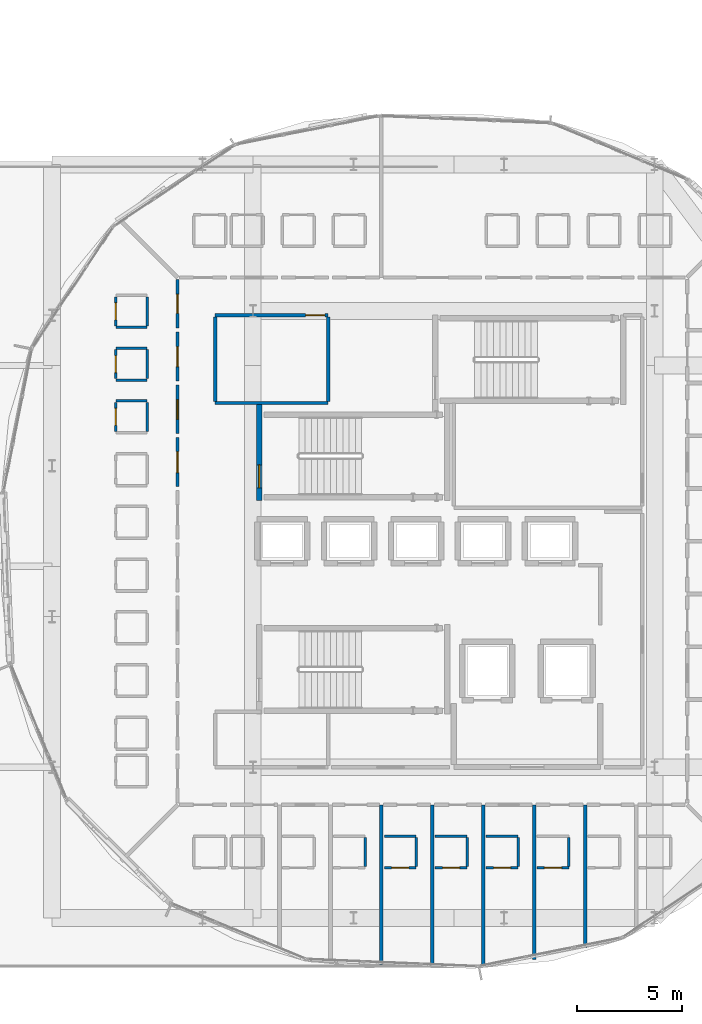
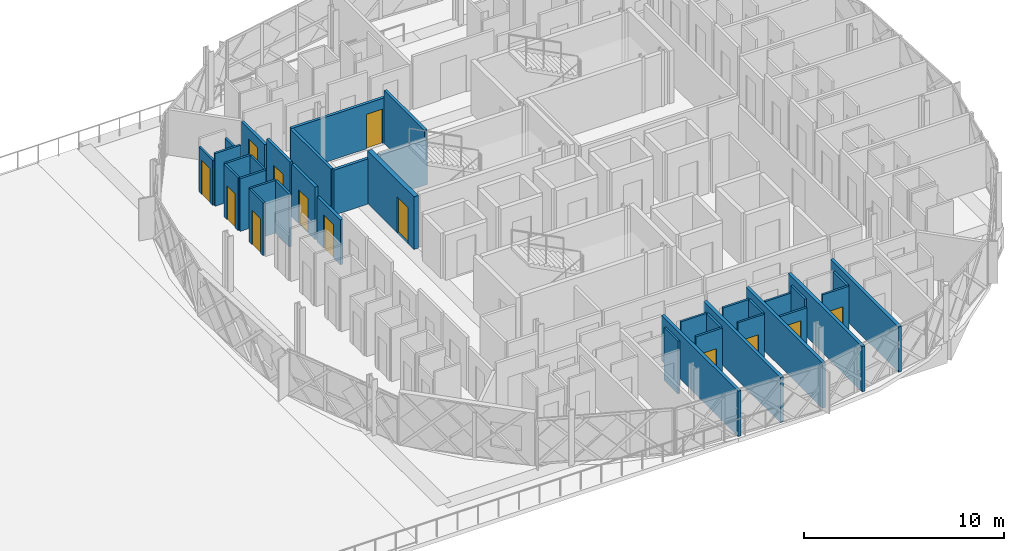
# One storey, part 32 of 53: 36 walls, 13 doors, 13 openings.
"""IFC4 building model written with IfcOpenShell, lengths in metres."""

from ifc_helpers import new_model, si_unit, direction, frame, frame_2d, origin, place, context, subcontext, project, spatial, rectangle, extrude, material, layer, layer_set, type_object, element, fill, save


model = new_model("IFC4")

# Units and contexts
model_context = context("Model", 3, precision=1e-05, world=origin(), true_north=direction((0.0, 1.0)))
body_context = subcontext(model_context, "Body", "Model", "MODEL_VIEW")
ifc_project = project(units=[si_unit("LENGTHUNIT", "METRE"), si_unit("AREAUNIT", "SQUARE_METRE"), si_unit("VOLUMEUNIT", "CUBIC_METRE"), si_unit("PLANEANGLEUNIT", "RADIAN"), si_unit("MASSUNIT", "GRAM", prefix="KILO")], contexts=[model_context])

# Site, building, storey
site_placement = place(None, origin())
site = spatial("IfcSite", under=ifc_project, at=site_placement, CompositionType="ELEMENT")
building_placement = place(site_placement, origin())
building = spatial("IfcBuilding", under=site, at=building_placement, Name="Zevrakil Square Congress Hotel", CompositionType="ELEMENT")
storey_placement = place(building_placement, frame((0.0, 0.0, 14.699951171875)))
storey = spatial("IfcBuildingStorey", under=building, at=storey_placement, Name="L04", CompositionType="ELEMENT", Elevation=14.699951171875)

# Wall
ifc_material_1 = material(Name="Gypsum Acoustic Stud Partition")
ifc_layer_1 = layer(ifc_material_1, 0.159912109375)
ifc_layer_set_1 = layer_set([ifc_layer_1], Name="Gypsum Acoustic Stud Partition")
wall_type_1 = type_object("IfcWallType", Name="WAL-CORR-160", PredefinedType="PARTITIONING", material=ifc_layer_set_1)
wall_1_placement = place(storey_placement, frame((135.0, 34.199951171875, 0.0), z_axis=(0.0, 0.0, 1.0), x_axis=(1.0, 0.0, 0.0)))
element("IfcWall", 1, at=wall_1_placement, inside=storey, type_object=wall_type_1, Name="L04 interior partition PW-L04-0246", PredefinedType="PARTITIONING", context=body_context, shape_type="SweptSolid", body=[
    extrude(rectangle(XDim=5.39990234375, YDim=0.159912109375, at=frame_2d((2.699951171875, 0.0))), origin(), (0.0, 0.0, 1.0), 2.75),
])

# Wall, opening, door
wall_2_placement = place(storey_placement, frame((135.0, 38.39990234375, 0.0), z_axis=(0.0, 0.0, 1.0), x_axis=(1.0, 0.0, 0.0)))
wall_2 = element("IfcWall", 2, at=wall_2_placement, inside=storey, type_object=wall_type_1, Name="L04 interior partition PW-L04-0247", PredefinedType="PARTITIONING", context=body_context, shape_type="SweptSolid", body=[
    extrude(rectangle(XDim=5.39990234375, YDim=0.159912109375, at=frame_2d((2.699951171875, 0.0))), origin(), (0.0, 0.0, 1.0), 2.75),
])
opening_1_placement = place(wall_2_placement, frame((4.320068359375, 0.0, 0.0)))
opening_1 = element("IfcOpeningElement", 3, at=opening_1_placement, cuts=wall_2, Name="Opening ID-07", PredefinedType="OPENING", context=body_context, shape_type="SweptSolid", body=[
    extrude(rectangle(XDim=0.919921875, YDim=2.10009765625, at=frame_2d((0.4599609375, 1.050048828125))), frame((0.0, 0.08984375, 0.0), z_axis=(0.0, -1.0, 0.0), x_axis=(1.0, 0.0, 0.0)), (0.0, 0.0, 1.0), 0.179931640625),
])
ifc_material_2 = material(Name="Accessible Restroom Door")
door_type_1 = type_object("IfcDoorType", Name="DOR-WC-092", OperationType="NOTDEFINED", PredefinedType="DOOR", material=ifc_material_2)
door_1_placement = place(opening_1_placement, origin())
door_1 = element("IfcDoor", 4, at=door_1_placement, inside=storey, type_object=door_type_1, Name="L04 interior door 105", OperationType="SINGLE_SWING_LEFT", OverallHeight=2.10009765625, OverallWidth=0.919921875, PredefinedType="DOOR", context=body_context, shape_type="SweptSolid", body=[
    extrude(rectangle(XDim=0.919921875, YDim=2.10009765625, at=frame_2d((0.4599609375, 1.050048828125))), frame((0.0, 0.02490234375, 0.0), z_axis=(0.0, -1.0, 0.0), x_axis=(1.0, 0.0, 0.0)), (0.0, 0.0, 1.0), 0.050048828125),
])
fill(opening_1, door_1)

# Walls
wall_3_placement = place(storey_placement, frame((135.0, 34.284912109375, 0.0), z_axis=(0.0, 0.0, 1.0), x_axis=(0.0, 1.0, 0.0)))
element("IfcWall", 5, at=wall_3_placement, inside=storey, type_object=wall_type_1, Name="L04 interior partition PW-L04-0248", PredefinedType="PARTITIONING", context=body_context, shape_type="SweptSolid", body=[
    extrude(rectangle(XDim=4.030029296875, YDim=0.159912109375, at=frame_2d((2.01513671875, 0.0))), origin(), (0.0, 0.0, 1.0), 2.75),
])
wall_4_placement = place(storey_placement, frame((140.39990234375, 34.284912109375, 0.0), z_axis=(0.0, 0.0, 1.0), x_axis=(0.0, 1.0, 0.0)))
element("IfcWall", 6, at=wall_4_placement, inside=storey, type_object=wall_type_1, Name="L04 interior partition PW-L04-0249", PredefinedType="PARTITIONING", context=body_context, shape_type="SweptSolid", body=[
    extrude(rectangle(XDim=4.030029296875, YDim=0.159912109375, at=frame_2d((2.01513671875, 0.0))), origin(), (0.0, 0.0, 1.0), 3.215087890625),
])

# Wall, opening, door
wall_5_placement = place(storey_placement, frame((133.199951171875, 37.77490234375, 0.0), z_axis=(0.0, 0.0, 1.0), x_axis=(0.0, 1.0, 0.0)))
wall_5 = element("IfcWall", 7, at=wall_5_placement, inside=storey, type_object=wall_type_1, Name="L04 interior partition PW-L04-0405", PredefinedType="PARTITIONING", context=body_context, shape_type="SweptSolid", body=[
    extrude(rectangle(XDim=2.330078125, YDim=0.159912109375, at=frame_2d((1.1650390625, 0.0))), origin(), (0.0, 0.0, 1.0), 2.75),
])
opening_2_placement = place(wall_5_placement, frame((0.708984375, 0.0, 0.0)))
opening_2 = element("IfcOpeningElement", 8, at=opening_2_placement, cuts=wall_5, Name="Opening ID-H06", PredefinedType="OPENING", context=body_context, shape_type="SweptSolid", body=[
    extrude(rectangle(XDim=0.912109375, YDim=2.1298828125, at=frame_2d((0.4560546875, 1.06494140625))), frame((0.0, 0.08984375, 0.0), z_axis=(0.0, -1.0, 0.0), x_axis=(1.0, 0.0, 0.0)), (0.0, 0.0, 1.0), 0.179931640625),
])
ifc_material_3 = material(Name="Acoustic Timber Fire Door", Category="wood")
door_type_2 = type_object("IfcDoorType", Name="DOR-INT-H06", OperationType="NOTDEFINED", PredefinedType="DOOR", material=ifc_material_3)
door_2_placement = place(opening_2_placement, origin())
door_2 = element("IfcDoor", 9, at=door_2_placement, inside=storey, type_object=door_type_2, Name="L04 interior door 165", OperationType="SINGLE_SWING_LEFT", OverallHeight=2.1298828125, OverallWidth=0.912109375, PredefinedType="DOOR", context=body_context, shape_type="SweptSolid", body=[
    extrude(rectangle(XDim=0.912109375, YDim=2.1298828125, at=frame_2d((0.4560546875, 1.06494140625))), frame((0.0, 0.02490234375, 0.0), z_axis=(0.0, -1.0, 0.0), x_axis=(1.0, 0.0, 0.0)), (0.0, 0.0, 1.0), 0.050048828125),
])
fill(opening_2, door_2)

wall_6_placement = place(storey_placement, frame((133.199951171875, 35.2548828125, 0.0), z_axis=(0.0, 0.0, 1.0), x_axis=(0.0, 1.0, 0.0)))
wall_6 = element("IfcWall", 10, at=wall_6_placement, inside=storey, type_object=wall_type_1, Name="L04 interior partition PW-L04-0410", PredefinedType="PARTITIONING", context=body_context, shape_type="SweptSolid", body=[
    extrude(rectangle(XDim=2.330078125, YDim=0.159912109375, at=frame_2d((1.1650390625, 0.0))), origin(), (0.0, 0.0, 1.0), 3.215087890625),
])
opening_3_placement = place(wall_6_placement, frame((0.6875, 0.0, 0.0)))
opening_3 = element("IfcOpeningElement", 11, at=opening_3_placement, cuts=wall_6, Name="Opening ID-G05", PredefinedType="OPENING", context=body_context, shape_type="SweptSolid", body=[
    extrude(rectangle(XDim=0.955078125, YDim=2.050048828125, at=frame_2d((0.4775390625, 1.02490234375))), frame((0.0, 0.08984375, 0.0), z_axis=(0.0, -1.0, 0.0), x_axis=(1.0, 0.0, 0.0)), (0.0, 0.0, 1.0), 0.179931640625),
])
ifc_material_4 = material(Name="Acoustic Timber Fire Door", Category="wood")
door_type_3 = type_object("IfcDoorType", Name="DOR-INT-G05", OperationType="NOTDEFINED", PredefinedType="DOOR", material=ifc_material_4)
door_3_placement = place(opening_3_placement, origin())
door_3 = element("IfcDoor", 12, at=door_3_placement, inside=storey, type_object=door_type_3, Name="L04 interior door 167", OperationType="SINGLE_SWING_LEFT", OverallHeight=2.050048828125, OverallWidth=0.955078125, PredefinedType="DOOR", context=body_context, shape_type="SweptSolid", body=[
    extrude(rectangle(XDim=0.955078125, YDim=2.050048828125, at=frame_2d((0.4775390625, 1.02490234375))), frame((0.0, 0.02490234375, 0.0), z_axis=(0.0, -1.0, 0.0), x_axis=(1.0, 0.0, 0.0)), (0.0, 0.0, 1.0), 0.050048828125),
])
fill(opening_3, door_3)

wall_7_placement = place(storey_placement, frame((133.199951171875, 32.735107421875, 0.0), z_axis=(0.0, 0.0, 1.0), x_axis=(0.0, 1.0, 0.0)))
wall_7 = element("IfcWall", 13, at=wall_7_placement, inside=storey, type_object=wall_type_1, Name="L04 interior partition PW-L04-0415", PredefinedType="PARTITIONING", context=body_context, shape_type="SweptSolid", body=[
    extrude(rectangle(XDim=2.329833984375, YDim=0.159912109375, at=frame_2d((1.1650390625, 0.0))), origin(), (0.0, 0.0, 1.0), 3.215087890625),
])
opening_4_placement = place(wall_7_placement, frame((0.697021484375, 0.0, 0.0)))
opening_4 = element("IfcOpeningElement", 14, at=opening_4_placement, cuts=wall_7, Name="Opening ID-H08", PredefinedType="OPENING", context=body_context, shape_type="SweptSolid", body=[
    extrude(rectangle(XDim=0.93603515625, YDim=2.070068359375, at=frame_2d((0.468017578125, 1.03515625))), frame((0.0, 0.08984375, 0.0), z_axis=(0.0, -1.0, 0.0), x_axis=(1.0, 0.0, 0.0)), (0.0, 0.0, 1.0), 0.179931640625),
])
ifc_material_5 = material(Name="Acoustic Timber Fire Door", Category="wood")
door_type_4 = type_object("IfcDoorType", Name="DOR-INT-H08", OperationType="NOTDEFINED", PredefinedType="DOOR", material=ifc_material_5)
door_4_placement = place(opening_4_placement, origin())
door_4 = element("IfcDoor", 15, at=door_4_placement, inside=storey, type_object=door_type_4, Name="L04 interior door 169", OperationType="SINGLE_SWING_LEFT", OverallHeight=2.070068359375, OverallWidth=0.93603515625, PredefinedType="DOOR", context=body_context, shape_type="SweptSolid", body=[
    extrude(rectangle(XDim=0.93603515625, YDim=2.070068359375, at=frame_2d((0.468017578125, 1.03515625))), frame((0.0, 0.02490234375, 0.0), z_axis=(0.0, -1.0, 0.0), x_axis=(1.0, 0.0, 0.0)), (0.0, 0.0, 1.0), 0.050048828125),
])
fill(opening_4, door_4)

wall_8_placement = place(storey_placement, frame((133.199951171875, 30.215087890625, 0.0), z_axis=(0.0, 0.0, 1.0), x_axis=(0.0, 1.0, 0.0)))
wall_8 = element("IfcWall", 16, at=wall_8_placement, inside=storey, type_object=wall_type_1, Name="L04 interior partition PW-L04-0420", PredefinedType="PARTITIONING", context=body_context, shape_type="SweptSolid", body=[
    extrude(rectangle(XDim=2.329833984375, YDim=0.159912109375, at=frame_2d((1.1650390625, 0.0))), origin(), (0.0, 0.0, 1.0), 2.75),
])
opening_5_placement = place(wall_8_placement, frame((0.66259765625, 0.0, 0.0)))
opening_5 = element("IfcOpeningElement", 17, at=opening_5_placement, cuts=wall_8, Name="Opening ID-G07", PredefinedType="OPENING", context=body_context, shape_type="SweptSolid", body=[
    extrude(rectangle(XDim=1.0048828125, YDim=2.050048828125, at=frame_2d((0.50244140625, 1.02490234375))), frame((0.0, 0.08984375, 0.0), z_axis=(0.0, -1.0, 0.0), x_axis=(1.0, 0.0, 0.0)), (0.0, 0.0, 1.0), 0.179931640625),
])
ifc_material_6 = material(Name="Acoustic Timber Fire Door", Category="wood")
door_type_5 = type_object("IfcDoorType", Name="DOR-INT-G07", OperationType="NOTDEFINED", PredefinedType="DOOR", material=ifc_material_6)
door_5_placement = place(opening_5_placement, origin())
door_5 = element("IfcDoor", 18, at=door_5_placement, inside=storey, type_object=door_type_5, Name="L04 interior door 171", OperationType="SINGLE_SWING_LEFT", OverallHeight=2.050048828125, OverallWidth=1.0048828125, PredefinedType="DOOR", context=body_context, shape_type="SweptSolid", body=[
    extrude(rectangle(XDim=1.0048828125, YDim=2.050048828125, at=frame_2d((0.50244140625, 1.02490234375))), frame((0.0, 0.02490234375, 0.0), z_axis=(0.0, -1.0, 0.0), x_axis=(1.0, 0.0, 0.0)), (0.0, 0.0, 1.0), 0.050048828125),
])
fill(opening_5, door_5)

# Wall
ifc_material_7 = material(Name="Moisture-Resistant Gypsum Partition")
ifc_layer_2 = layer(ifc_material_7, 0.1201171875)
ifc_layer_set_2 = layer_set([ifc_layer_2], Name="Moisture-Resistant Gypsum Partition")
wall_type_2 = type_object("IfcWallType", Name="WAL-ENS-120", PredefinedType="PARTITIONING", material=ifc_layer_set_2)
wall_9_placement = place(storey_placement, frame((142.1650390625, 12.06494140625, 0.0), z_axis=(0.0, 0.0, 1.0), x_axis=(0.0, 1.0, 0.0)))
element("IfcWall", 19, at=wall_9_placement, inside=storey, type_object=wall_type_2, Name="L04 interior partition PW-L04-0280", PredefinedType="PARTITIONING", context=body_context, shape_type="SweptSolid", body=[
    extrude(rectangle(XDim=1.3701171875, YDim=0.1201171875, at=frame_2d((0.68505859375, 0.0))), origin(), (0.0, 0.0, 1.0), 3.215087890625),
])

# Wall, opening, door
wall_10_placement = place(storey_placement, frame((143.080078125, 12.0, 0.0), z_axis=(0.0, 0.0, 1.0), x_axis=(1.0, 0.0, 0.0)))
wall_10 = element("IfcWall", 20, at=wall_10_placement, inside=storey, type_object=wall_type_2, Name="L04 interior partition PW-L04-0283", PredefinedType="PARTITIONING", context=body_context, shape_type="SweptSolid", body=[
    extrude(rectangle(XDim=1.52001953125, YDim=0.1201171875, at=frame_2d((0.760009765625, 0.0))), origin(), (0.0, 0.0, 1.0), 3.215087890625),
])
opening_6_placement = place(wall_10_placement, frame((0.35009765625, 0.0, 0.0)))
opening_6 = element("IfcOpeningElement", 21, at=opening_6_placement, cuts=wall_10, Name="Opening ID-11", PredefinedType="OPENING", context=body_context, shape_type="SweptSolid", body=[
    extrude(rectangle(XDim=0.820068359375, YDim=2.080078125, at=frame_2d((0.41015625, 1.0400390625))), frame((0.0, 0.070068359375, 0.0), z_axis=(0.0, -1.0, 0.0), x_axis=(1.0, 0.0, 0.0)), (0.0, 0.0, 1.0), 0.14013671875),
])
ifc_material_8 = material(Name="Acoustic Timber Door", Category="wood")
door_type_6 = type_object("IfcDoorType", Name="DOR-INT-V01", OperationType="NOTDEFINED", PredefinedType="DOOR", material=ifc_material_8)
door_6_placement = place(opening_6_placement, origin())
door_6 = element("IfcDoor", 22, at=door_6_placement, inside=storey, type_object=door_type_6, Name="L04 interior door 118", OperationType="SINGLE_SWING_RIGHT", OverallHeight=2.080078125, OverallWidth=0.820068359375, PredefinedType="DOOR", context=body_context, shape_type="SweptSolid", body=[
    extrude(rectangle(XDim=0.820068359375, YDim=2.080078125, at=frame_2d((0.41015625, 1.0400390625))), frame((0.0, 0.02490234375, 0.0), z_axis=(0.0, -1.0, 0.0), x_axis=(1.0, 0.0, 0.0)), (0.0, 0.0, 1.0), 0.050048828125),
])
fill(opening_6, door_6)

# Walls
wall_11_placement = place(storey_placement, frame((143.080078125, 13.5, 0.0), z_axis=(0.0, 0.0, 1.0), x_axis=(1.0, 0.0, 0.0)))
element("IfcWall", 23, at=wall_11_placement, inside=storey, type_object=wall_type_2, Name="L04 interior partition PW-L04-0284", PredefinedType="PARTITIONING", context=body_context, shape_type="SweptSolid", body=[
    extrude(rectangle(XDim=1.52001953125, YDim=0.1201171875, at=frame_2d((0.760009765625, 0.0))), origin(), (0.0, 0.0, 1.0), 3.215087890625),
])
wall_12_placement = place(storey_placement, frame((144.60009765625, 12.06494140625, 0.0), z_axis=(0.0, 0.0, 1.0), x_axis=(0.0, 1.0, 0.0)))
element("IfcWall", 24, at=wall_12_placement, inside=storey, type_object=wall_type_2, Name="L04 interior partition PW-L04-0285", PredefinedType="PARTITIONING", context=body_context, shape_type="SweptSolid", body=[
    extrude(rectangle(XDim=1.3701171875, YDim=0.1201171875, at=frame_2d((0.68505859375, 0.0))), origin(), (0.0, 0.0, 1.0), 3.215087890625),
])

# Wall, opening, door
wall_13_placement = place(storey_placement, frame((145.514892578125, 12.0, 0.0), z_axis=(0.0, 0.0, 1.0), x_axis=(1.0, 0.0, 0.0)))
wall_13 = element("IfcWall", 25, at=wall_13_placement, inside=storey, type_object=wall_type_2, Name="L04 interior partition PW-L04-0288", PredefinedType="PARTITIONING", context=body_context, shape_type="SweptSolid", body=[
    extrude(rectangle(XDim=1.52001953125, YDim=0.1201171875, at=frame_2d((0.760009765625, 0.0))), origin(), (0.0, 0.0, 1.0), 3.215087890625),
])
opening_7_placement = place(wall_13_placement, frame((0.35009765625, 0.0, 0.0)))
opening_7 = element("IfcOpeningElement", 26, at=opening_7_placement, cuts=wall_13, Name="Opening ID-11", PredefinedType="OPENING", context=body_context, shape_type="SweptSolid", body=[
    extrude(rectangle(XDim=0.820068359375, YDim=2.080078125, at=frame_2d((0.41015625, 1.0400390625))), frame((0.0, 0.070068359375, 0.0), z_axis=(0.0, -1.0, 0.0), x_axis=(1.0, 0.0, 0.0)), (0.0, 0.0, 1.0), 0.14013671875),
])
door_7_placement = place(opening_7_placement, origin())
door_7 = element("IfcDoor", 27, at=door_7_placement, inside=storey, type_object=door_type_6, Name="L04 interior door 120", OperationType="SINGLE_SWING_RIGHT", OverallHeight=2.080078125, OverallWidth=0.820068359375, PredefinedType="DOOR", context=body_context, shape_type="SweptSolid", body=[
    extrude(rectangle(XDim=0.820068359375, YDim=2.080078125, at=frame_2d((0.41015625, 1.0400390625))), frame((0.0, 0.02490234375, 0.0), z_axis=(0.0, -1.0, 0.0), x_axis=(1.0, 0.0, 0.0)), (0.0, 0.0, 1.0), 0.050048828125),
])
fill(opening_7, door_7)

# Walls
wall_14_placement = place(storey_placement, frame((145.514892578125, 13.5, 0.0), z_axis=(0.0, 0.0, 1.0), x_axis=(1.0, 0.0, 0.0)))
element("IfcWall", 28, at=wall_14_placement, inside=storey, type_object=wall_type_2, Name="L04 interior partition PW-L04-0289", PredefinedType="PARTITIONING", context=body_context, shape_type="SweptSolid", body=[
    extrude(rectangle(XDim=1.52001953125, YDim=0.1201171875, at=frame_2d((0.760009765625, 0.0))), origin(), (0.0, 0.0, 1.0), 3.215087890625),
])
wall_15_placement = place(storey_placement, frame((147.034912109375, 12.06494140625, 0.0), z_axis=(0.0, 0.0, 1.0), x_axis=(0.0, 1.0, 0.0)))
element("IfcWall", 29, at=wall_15_placement, inside=storey, type_object=wall_type_2, Name="L04 interior partition PW-L04-0290", PredefinedType="PARTITIONING", context=body_context, shape_type="SweptSolid", body=[
    extrude(rectangle(XDim=1.3701171875, YDim=0.1201171875, at=frame_2d((0.68505859375, 0.0))), origin(), (0.0, 0.0, 1.0), 3.215087890625),
])

# Wall, opening, door
wall_16_placement = place(storey_placement, frame((147.949951171875, 12.0, 0.0), z_axis=(0.0, 0.0, 1.0), x_axis=(1.0, 0.0, 0.0)))
wall_16 = element("IfcWall", 30, at=wall_16_placement, inside=storey, type_object=wall_type_2, Name="L04 interior partition PW-L04-0293", PredefinedType="PARTITIONING", context=body_context, shape_type="SweptSolid", body=[
    extrude(rectangle(XDim=1.52001953125, YDim=0.1201171875, at=frame_2d((0.760009765625, 0.0))), origin(), (0.0, 0.0, 1.0), 2.75),
])
opening_8_placement = place(wall_16_placement, frame((0.35009765625, 0.0, 0.0)))
opening_8 = element("IfcOpeningElement", 31, at=opening_8_placement, cuts=wall_16, Name="Opening ID-11", PredefinedType="OPENING", context=body_context, shape_type="SweptSolid", body=[
    extrude(rectangle(XDim=0.820068359375, YDim=2.080078125, at=frame_2d((0.41015625, 1.0400390625))), frame((0.0, 0.070068359375, 0.0), z_axis=(0.0, -1.0, 0.0), x_axis=(1.0, 0.0, 0.0)), (0.0, 0.0, 1.0), 0.14013671875),
])
door_8_placement = place(opening_8_placement, origin())
door_8 = element("IfcDoor", 32, at=door_8_placement, inside=storey, type_object=door_type_6, Name="L04 interior door 122", OperationType="SINGLE_SWING_RIGHT", OverallHeight=2.080078125, OverallWidth=0.820068359375, PredefinedType="DOOR", context=body_context, shape_type="SweptSolid", body=[
    extrude(rectangle(XDim=0.820068359375, YDim=2.080078125, at=frame_2d((0.41015625, 1.0400390625))), frame((0.0, 0.02490234375, 0.0), z_axis=(0.0, -1.0, 0.0), x_axis=(1.0, 0.0, 0.0)), (0.0, 0.0, 1.0), 0.050048828125),
])
fill(opening_8, door_8)

# Walls
wall_17_placement = place(storey_placement, frame((147.949951171875, 13.5, 0.0), z_axis=(0.0, 0.0, 1.0), x_axis=(1.0, 0.0, 0.0)))
element("IfcWall", 33, at=wall_17_placement, inside=storey, type_object=wall_type_2, Name="L04 interior partition PW-L04-0294", PredefinedType="PARTITIONING", context=body_context, shape_type="SweptSolid", body=[
    extrude(rectangle(XDim=1.52001953125, YDim=0.1201171875, at=frame_2d((0.760009765625, 0.0))), origin(), (0.0, 0.0, 1.0), 2.75),
])
wall_18_placement = place(storey_placement, frame((149.469970703125, 12.06494140625, 0.0), z_axis=(0.0, 0.0, 1.0), x_axis=(0.0, 1.0, 0.0)))
element("IfcWall", 34, at=wall_18_placement, inside=storey, type_object=wall_type_2, Name="L04 interior partition PW-L04-0295", PredefinedType="PARTITIONING", context=body_context, shape_type="SweptSolid", body=[
    extrude(rectangle(XDim=1.3701171875, YDim=0.1201171875, at=frame_2d((0.68505859375, 0.0))), origin(), (0.0, 0.0, 1.0), 3.215087890625),
])

# Wall, opening, door
wall_19_placement = place(storey_placement, frame((150.385009765625, 12.0, 0.0), z_axis=(0.0, 0.0, 1.0), x_axis=(1.0, 0.0, 0.0)))
wall_19 = element("IfcWall", 35, at=wall_19_placement, inside=storey, type_object=wall_type_2, Name="L04 interior partition PW-L04-0298", PredefinedType="PARTITIONING", context=body_context, shape_type="SweptSolid", body=[
    extrude(rectangle(XDim=1.52001953125, YDim=0.1201171875, at=frame_2d((0.760009765625, 0.0))), origin(), (0.0, 0.0, 1.0), 3.215087890625),
])
opening_9_placement = place(wall_19_placement, frame((0.35009765625, 0.0, 0.0)))
opening_9 = element("IfcOpeningElement", 36, at=opening_9_placement, cuts=wall_19, Name="Opening ID-11", PredefinedType="OPENING", context=body_context, shape_type="SweptSolid", body=[
    extrude(rectangle(XDim=0.820068359375, YDim=2.080078125, at=frame_2d((0.41015625, 1.0400390625))), frame((0.0, 0.070068359375, 0.0), z_axis=(0.0, -1.0, 0.0), x_axis=(1.0, 0.0, 0.0)), (0.0, 0.0, 1.0), 0.14013671875),
])
door_9_placement = place(opening_9_placement, origin())
door_9 = element("IfcDoor", 37, at=door_9_placement, inside=storey, type_object=door_type_6, Name="L04 interior door 124", OperationType="SINGLE_SWING_RIGHT", OverallHeight=2.080078125, OverallWidth=0.820068359375, PredefinedType="DOOR", context=body_context, shape_type="SweptSolid", body=[
    extrude(rectangle(XDim=0.820068359375, YDim=2.080078125, at=frame_2d((0.41015625, 1.0400390625))), frame((0.0, 0.02490234375, 0.0), z_axis=(0.0, -1.0, 0.0), x_axis=(1.0, 0.0, 0.0)), (0.0, 0.0, 1.0), 0.050048828125),
])
fill(opening_9, door_9)

# Walls
wall_20_placement = place(storey_placement, frame((151.905029296875, 12.06494140625, 0.0), z_axis=(0.0, 0.0, 1.0), x_axis=(0.0, 1.0, 0.0)))
element("IfcWall", 38, at=wall_20_placement, inside=storey, type_object=wall_type_2, Name="L04 interior partition PW-L04-0300", PredefinedType="PARTITIONING", context=body_context, shape_type="SweptSolid", body=[
    extrude(rectangle(XDim=1.3701171875, YDim=0.1201171875, at=frame_2d((0.68505859375, 0.0))), origin(), (0.0, 0.0, 1.0), 3.215087890625),
])
wall_21_placement = place(storey_placement, frame((130.25, 37.820068359375, 0.0), z_axis=(0.0, 0.0, 1.0), x_axis=(1.0, 0.0, 0.0)))
element("IfcWall", 39, at=wall_21_placement, inside=storey, type_object=wall_type_2, Name="L04 interior partition PW-L04-0406", PredefinedType="PARTITIONING", context=body_context, shape_type="SweptSolid", body=[
    extrude(rectangle(XDim=1.5, YDim=0.1201171875, at=frame_2d((0.75, 0.0))), origin(), (0.0, 0.0, 1.0), 3.215087890625),
])

# Wall, opening, door
wall_22_placement = place(storey_placement, frame((130.25, 37.885009765625, 0.0), z_axis=(0.0, 0.0, 1.0), x_axis=(0.0, 1.0, 0.0)))
wall_22 = element("IfcWall", 40, at=wall_22_placement, inside=storey, type_object=wall_type_2, Name="L04 interior partition PW-L04-0408", PredefinedType="PARTITIONING", context=body_context, shape_type="SweptSolid", body=[
    extrude(rectangle(XDim=1.389892578125, YDim=0.1201171875, at=frame_2d((0.69482421875, 0.0))), origin(), (0.0, 0.0, 1.0), 2.75),
])
opening_10_placement = place(wall_22_placement, frame((0.284912109375, 0.0, 0.0)))
opening_10 = element("IfcOpeningElement", 41, at=opening_10_placement, cuts=wall_22, Name="Opening ID-11", PredefinedType="OPENING", context=body_context, shape_type="SweptSolid", body=[
    extrude(rectangle(XDim=0.820068359375, YDim=2.080078125, at=frame_2d((0.41015625, 1.0400390625))), frame((0.0, 0.070068359375, 0.0), z_axis=(0.0, -1.0, 0.0), x_axis=(1.0, 0.0, 0.0)), (0.0, 0.0, 1.0), 0.14013671875),
])
door_10_placement = place(opening_10_placement, origin())
door_10 = element("IfcDoor", 42, at=door_10_placement, inside=storey, type_object=door_type_6, Name="L04 interior door 166", OperationType="SINGLE_SWING_RIGHT", OverallHeight=2.080078125, OverallWidth=0.820068359375, PredefinedType="DOOR", context=body_context, shape_type="SweptSolid", body=[
    extrude(rectangle(XDim=0.820068359375, YDim=2.080078125, at=frame_2d((0.41015625, 1.0400390625))), frame((0.0, 0.02490234375, 0.0), z_axis=(0.0, -1.0, 0.0), x_axis=(1.0, 0.0, 0.0)), (0.0, 0.0, 1.0), 0.050048828125),
])
fill(opening_10, door_10)

# Walls
wall_23_placement = place(storey_placement, frame((131.75, 37.885009765625, 0.0), z_axis=(0.0, 0.0, 1.0), x_axis=(0.0, 1.0, 0.0)))
element("IfcWall", 43, at=wall_23_placement, inside=storey, type_object=wall_type_2, Name="L04 interior partition PW-L04-0409", PredefinedType="PARTITIONING", context=body_context, shape_type="SweptSolid", body=[
    extrude(rectangle(XDim=1.389892578125, YDim=0.1201171875, at=frame_2d((0.69482421875, 0.0))), origin(), (0.0, 0.0, 1.0), 2.75),
])
for number, where, z_axis, x_axis, name in (
    (44, (130.25, 35.300048828125, 0.0), (0.0, 0.0, 1.0), (1.0, 0.0, 0.0), "L04 interior partition PW-L04-0411"),
    (45, (130.25, 36.820068359375, 0.0), (0.0, 0.0, 1.0), (1.0, 0.0, 0.0), "L04 interior partition PW-L04-0412"),
):
    element("IfcWall", number, at=place(storey_placement, frame(where, z_axis=z_axis, x_axis=x_axis)), inside=storey, type_object=wall_type_2, Name=name, PredefinedType="PARTITIONING", context=body_context, shape_type="SweptSolid", body=[
        extrude(rectangle(XDim=1.5, YDim=0.1201171875, at=frame_2d((0.75, 0.0))), origin(), (0.0, 0.0, 1.0), 3.215087890625),
    ])

# Wall, opening, door
wall_24_placement = place(storey_placement, frame((130.25, 35.364990234375, 0.0), z_axis=(0.0, 0.0, 1.0), x_axis=(0.0, 1.0, 0.0)))
wall_24 = element("IfcWall", 46, at=wall_24_placement, inside=storey, type_object=wall_type_2, Name="L04 interior partition PW-L04-0413", PredefinedType="PARTITIONING", context=body_context, shape_type="SweptSolid", body=[
    extrude(rectangle(XDim=1.389892578125, YDim=0.1201171875, at=frame_2d((0.69482421875, 0.0))), origin(), (0.0, 0.0, 1.0), 3.215087890625),
])
opening_11_placement = place(wall_24_placement, frame((0.284912109375, 0.0, 0.0)))
opening_11 = element("IfcOpeningElement", 47, at=opening_11_placement, cuts=wall_24, Name="Opening ID-11", PredefinedType="OPENING", context=body_context, shape_type="SweptSolid", body=[
    extrude(rectangle(XDim=0.820068359375, YDim=2.080078125, at=frame_2d((0.41015625, 1.0400390625))), frame((0.0, 0.070068359375, 0.0), z_axis=(0.0, -1.0, 0.0), x_axis=(1.0, 0.0, 0.0)), (0.0, 0.0, 1.0), 0.14013671875),
])
door_11_placement = place(opening_11_placement, origin())
door_11 = element("IfcDoor", 48, at=door_11_placement, inside=storey, type_object=door_type_6, Name="L04 interior door 168", OperationType="SINGLE_SWING_RIGHT", OverallHeight=2.080078125, OverallWidth=0.820068359375, PredefinedType="DOOR", context=body_context, shape_type="SweptSolid", body=[
    extrude(rectangle(XDim=0.820068359375, YDim=2.080078125, at=frame_2d((0.41015625, 1.0400390625))), frame((0.0, 0.02490234375, 0.0), z_axis=(0.0, -1.0, 0.0), x_axis=(1.0, 0.0, 0.0)), (0.0, 0.0, 1.0), 0.050048828125),
])
fill(opening_11, door_11)

# Walls
wall_25_placement = place(storey_placement, frame((131.75, 35.364990234375, 0.0), z_axis=(0.0, 0.0, 1.0), x_axis=(0.0, 1.0, 0.0)))
element("IfcWall", 49, at=wall_25_placement, inside=storey, type_object=wall_type_2, Name="L04 interior partition PW-L04-0414", PredefinedType="PARTITIONING", context=body_context, shape_type="SweptSolid", body=[
    extrude(rectangle(XDim=1.389892578125, YDim=0.1201171875, at=frame_2d((0.69482421875, 0.0))), origin(), (0.0, 0.0, 1.0), 3.215087890625),
])
wall_26_placement = place(storey_placement, frame((130.25, 34.300048828125, 0.0), z_axis=(0.0, 0.0, 1.0), x_axis=(1.0, 0.0, 0.0)))
element("IfcWall", 50, at=wall_26_placement, inside=storey, type_object=wall_type_2, Name="L04 interior partition PW-L04-0417", PredefinedType="PARTITIONING", context=body_context, shape_type="SweptSolid", body=[
    extrude(rectangle(XDim=1.5, YDim=0.1201171875, at=frame_2d((0.75, 0.0))), origin(), (0.0, 0.0, 1.0), 3.215087890625),
])

# Wall, opening, door
wall_27_placement = place(storey_placement, frame((130.25, 32.844970703125, 0.0), z_axis=(0.0, 0.0, 1.0), x_axis=(0.0, 1.0, 0.0)))
wall_27 = element("IfcWall", 51, at=wall_27_placement, inside=storey, type_object=wall_type_2, Name="L04 interior partition PW-L04-0418", PredefinedType="PARTITIONING", context=body_context, shape_type="SweptSolid", body=[
    extrude(rectangle(XDim=1.39013671875, YDim=0.1201171875, at=frame_2d((0.695068359375, 0.0))), origin(), (0.0, 0.0, 1.0), 3.215087890625),
])
opening_12_placement = place(wall_27_placement, frame((0.284912109375, 0.0, 0.0)))
opening_12 = element("IfcOpeningElement", 52, at=opening_12_placement, cuts=wall_27, Name="Opening ID-11", PredefinedType="OPENING", context=body_context, shape_type="SweptSolid", body=[
    extrude(rectangle(XDim=0.820068359375, YDim=2.080078125, at=frame_2d((0.41015625, 1.0400390625))), frame((0.0, 0.070068359375, 0.0), z_axis=(0.0, -1.0, 0.0), x_axis=(1.0, 0.0, 0.0)), (0.0, 0.0, 1.0), 0.14013671875),
])
door_12_placement = place(opening_12_placement, origin())
door_12 = element("IfcDoor", 53, at=door_12_placement, inside=storey, type_object=door_type_6, Name="L04 interior door 170", OperationType="SINGLE_SWING_RIGHT", OverallHeight=2.080078125, OverallWidth=0.820068359375, PredefinedType="DOOR", context=body_context, shape_type="SweptSolid", body=[
    extrude(rectangle(XDim=0.820068359375, YDim=2.080078125, at=frame_2d((0.41015625, 1.0400390625))), frame((0.0, 0.02490234375, 0.0), z_axis=(0.0, -1.0, 0.0), x_axis=(1.0, 0.0, 0.0)), (0.0, 0.0, 1.0), 0.050048828125),
])
fill(opening_12, door_12)

# Walls
wall_28_placement = place(storey_placement, frame((131.75, 32.844970703125, 0.0), z_axis=(0.0, 0.0, 1.0), x_axis=(0.0, 1.0, 0.0)))
element("IfcWall", 54, at=wall_28_placement, inside=storey, type_object=wall_type_2, Name="L04 interior partition PW-L04-0419", PredefinedType="PARTITIONING", context=body_context, shape_type="SweptSolid", body=[
    extrude(rectangle(XDim=1.39013671875, YDim=0.1201171875, at=frame_2d((0.695068359375, 0.0))), origin(), (0.0, 0.0, 1.0), 3.215087890625),
])
ifc_material_9 = material(Name="Gypsum Twin-Stud Party Partition")
ifc_layer_3 = layer(ifc_material_9, 0.179931640625)
ifc_layer_set_3 = layer_set([ifc_layer_3], Name="Gypsum Twin-Stud Party Partition")
wall_type_3 = type_object("IfcWallType", Name="WAL-PARTY-180", PredefinedType="PARTITIONING", material=ifc_layer_set_3)
for number, where, z_axis, x_axis, name in (
    (55, (142.93994140625, 7.340087890625, 0.0), (0.0, 0.0, 1.0), (0.0, 1.0, 0.0), "L04 interior partition PW-L04-0281"),
    (56, (145.375, 7.340087890625, 0.0), (0.0, 0.0, 1.0), (0.0, 1.0, 0.0), "L04 interior partition PW-L04-0286"),
):
    element("IfcWall", number, at=place(storey_placement, frame(where, z_axis=z_axis, x_axis=x_axis)), inside=storey, type_object=wall_type_3, Name=name, PredefinedType="PARTITIONING", context=body_context, shape_type="SweptSolid", body=[
        extrude(rectangle(XDim=7.659912109375, YDim=0.179931640625, at=frame_2d((3.830078125, 0.0))), origin(), (0.0, 0.0, 1.0), 2.760009765625),
    ])
wall_29_placement = place(storey_placement, frame((147.81005859375, 7.36767578125, 0.0), z_axis=(0.0, 0.0, 1.0), x_axis=(0.0, 1.0, 0.0)))
element("IfcWall", 57, at=wall_29_placement, inside=storey, type_object=wall_type_3, Name="L04 interior partition PW-L04-0291", PredefinedType="PARTITIONING", context=body_context, shape_type="SweptSolid", body=[
    extrude(rectangle(XDim=7.63232421875, YDim=0.179931640625, at=frame_2d((3.816162109375, 0.0))), origin(), (0.0, 0.0, 1.0), 2.760009765625),
])
wall_30_placement = place(storey_placement, frame((150.2451171875, 7.607421875, 0.0), z_axis=(0.0, 0.0, 1.0), x_axis=(0.0, 1.0, 0.0)))
element("IfcWall", 58, at=wall_30_placement, inside=storey, type_object=wall_type_3, Name="L04 interior partition PW-L04-0296", PredefinedType="PARTITIONING", context=body_context, shape_type="SweptSolid", body=[
    extrude(rectangle(XDim=7.392578125, YDim=0.179931640625, at=frame_2d((3.6962890625, 0.0))), origin(), (0.0, 0.0, 1.0), 2.760009765625),
])
wall_31_placement = place(storey_placement, frame((152.679931640625, 8.185546875, 0.0), z_axis=(0.0, 0.0, 1.0), x_axis=(0.0, 1.0, 0.0)))
element("IfcWall", 59, at=wall_31_placement, inside=storey, type_object=wall_type_3, Name="L04 interior partition PW-L04-0301", PredefinedType="PARTITIONING", context=body_context, shape_type="SweptSolid", body=[
    extrude(rectangle(XDim=6.814453125, YDim=0.179931640625, at=frame_2d((3.4072265625, 0.0))), origin(), (0.0, 0.0, 1.0), 2.760009765625),
])

# Wall, opening, door
ifc_material_10 = material(Name="Concrete C40/50", Category="concrete")
ifc_layer_4 = layer(ifc_material_10, 0.260009765625)
ifc_layer_set_4 = layer_set([ifc_layer_4], Name="Concrete C40/50")
wall_type_4 = type_object("IfcWallType", Name="WAL-SHAFT-260", PredefinedType="SHEAR", material=ifc_layer_set_4)
wall_32_placement = place(storey_placement, frame((137.10498046875, 29.5400390625, 0.0), z_axis=(0.0, 0.0, 1.0), x_axis=(0.0, 1.0, 0.0)))
wall_32 = element("IfcWall", 60, at=wall_32_placement, inside=storey, type_object=wall_type_4, Name="L04 ST02 stair shaft W wall", PredefinedType="SHEAR", context=body_context, shape_type="SweptSolid", body=[
    extrude(rectangle(XDim=4.635009765625, YDim=0.260009765625, at=frame_2d((2.3173828125, 0.0))), origin(), (0.0, 0.0, 1.0), 3.215087890625),
])
opening_13_placement = place(wall_32_placement, frame((0.610107421875, 0.0, 0.0)))
opening_13 = element("IfcOpeningElement", 61, at=opening_13_placement, cuts=wall_32, Name="Opening SD-ST02", PredefinedType="OPENING", context=body_context, shape_type="SweptSolid", body=[
    extrude(rectangle(XDim=1.10009765625, YDim=2.199951171875, at=frame_2d((0.550048828125, 1.10009765625))), frame((0.0, 0.14013671875, 0.0), z_axis=(0.0, -1.0, 0.0), x_axis=(1.0, 0.0, 0.0)), (0.0, 0.0, 1.0), 0.280029296875),
])
ifc_material_11 = material(Name="Steel S355 Fire-Rated Door", Category="steel")
door_type_7 = type_object("IfcDoorType", Name="DOR-STAIR-FD90-110", OperationType="NOTDEFINED", PredefinedType="DOOR", material=ifc_material_11)
door_13_placement = place(opening_13_placement, origin())
door_13 = element("IfcDoor", 62, at=door_13_placement, inside=storey, type_object=door_type_7, Name="L04 ST02 protected stair fire door", OperationType="SINGLE_SWING_LEFT", OverallHeight=2.199951171875, OverallWidth=1.10009765625, PredefinedType="DOOR", context=body_context, shape_type="SweptSolid", body=[
    extrude(rectangle(XDim=1.10009765625, YDim=2.199951171875, at=frame_2d((0.550048828125, 1.10009765625))), frame((0.0, 0.02490234375, 0.0), z_axis=(0.0, -1.0, 0.0), x_axis=(1.0, 0.0, 0.0)), (0.0, 0.0, 1.0), 0.050048828125),
])
fill(opening_13, door_13)

save(model, "model.ifc")
